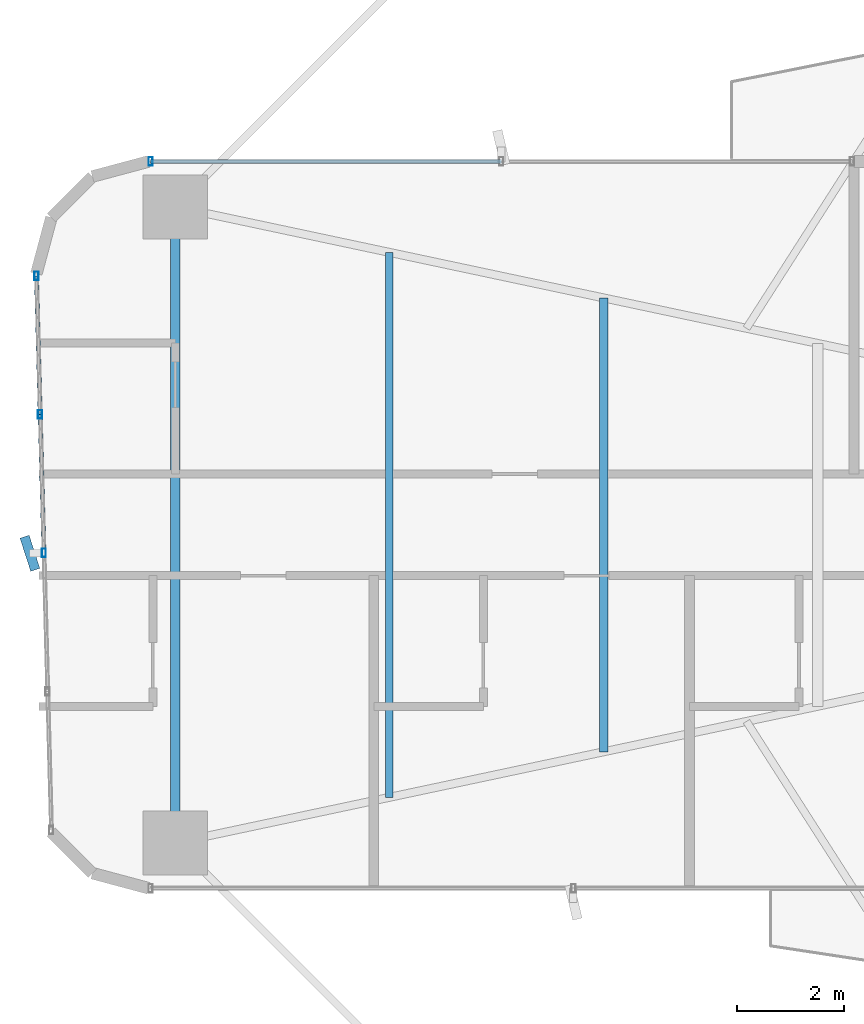
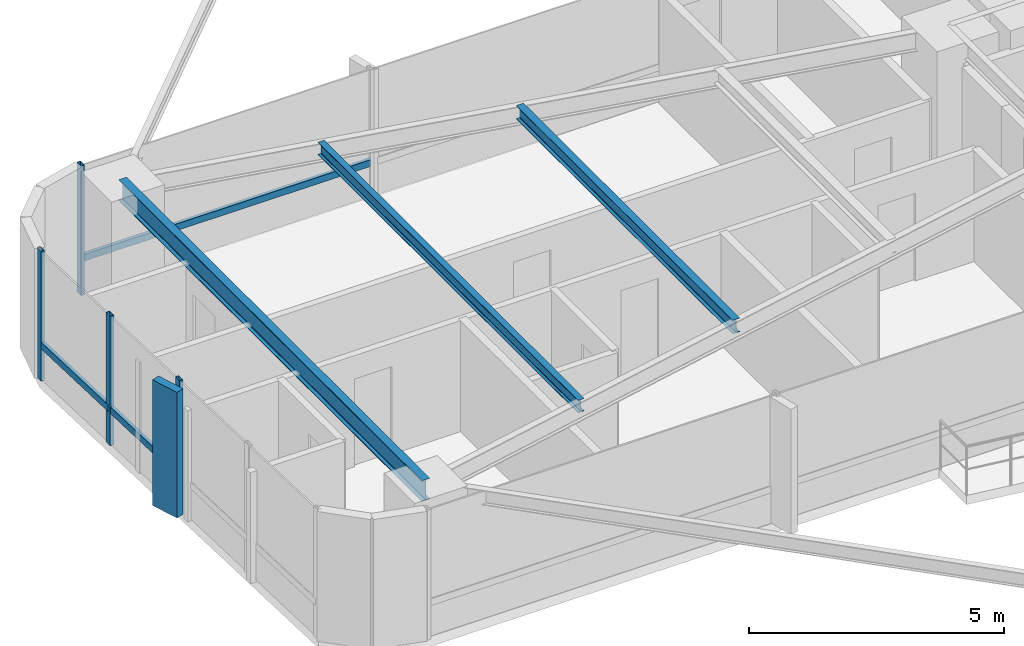
# One storey, part 8 of 25: 8 members, 3 beams, 2 elements without a shape of their own.
"""IFC4 building model written with IfcOpenShell, lengths in metres."""

from ifc_helpers import new_model, si_unit, direction, frame, origin, origin_2d, place, context, subcontext, project, spatial, rectangle, hollow_rectangle, i_section, extrude, source, transform, mapped, material, material_profile, profile_set, type_object, element, aggregate, save


model = new_model("IFC4")

# Units and contexts
model_context = context("Model", 3, precision=1e-05, world=origin(), true_north=direction((0.0, 1.0)))
body_context = subcontext(model_context, "Body", "Model", "MODEL_VIEW")
ifc_project = project(units=[si_unit("LENGTHUNIT", "METRE"), si_unit("AREAUNIT", "SQUARE_METRE"), si_unit("VOLUMEUNIT", "CUBIC_METRE"), si_unit("PLANEANGLEUNIT", "RADIAN"), si_unit("MASSUNIT", "GRAM", prefix="KILO")], contexts=[model_context])

# Site, building, storey
site_placement = place(None, origin())
site = spatial("IfcSite", under=ifc_project, at=site_placement, CompositionType="ELEMENT")
building_placement = place(site_placement, origin())
building = spatial("IfcBuilding", under=site, at=building_placement, Name="Sahyath Konkavel Grand Hotel", CompositionType="ELEMENT")
storey_placement = place(building_placement, frame((0.0, 0.0, 33.14990234375)))
storey = spatial("IfcBuildingStorey", under=building, at=storey_placement, Name="L08", CompositionType="ELEMENT", Elevation=33.14990234375)

# Beams
ifc_material_1 = material(Name="Steel E350", Category="steel")
ifc_material_profile_1 = material_profile(ifc_material_1, i_section(OverallWidth=0.179931640625, OverallDepth=0.5, WebThickness=0.01025390625, FlangeThickness=0.01708984375, FilletRadius=0.01708984375, at=origin_2d()), Name="ISMB 500")
ifc_profile_set_1 = profile_set([ifc_material_profile_1], Name="Steel E350")
beam_type_1 = type_object("IfcBeamType", Name="BM-ISMB500", PredefinedType="BEAM", material=ifc_profile_set_1)
shared_shape_1 = source(origin(), body_context, "Body", "SweptSolid", [
    extrude(i_section(OverallWidth=0.179931640625, OverallDepth=0.5, WebThickness=0.01025390625, FlangeThickness=0.01708984375, FilletRadius=0.01708984375, at=origin_2d()), origin(), (0.0, 0.0, 1.0), 11.89990234375),
])
beam_1_placement = place(storey_placement, frame((-22.199951171875, 5.949951171875, 2.860107421875), z_axis=(0.0, -1.0, 0.0), x_axis=(1.0, 0.0, 0.0)))
element("IfcBeam", 1, at=beam_1_placement, inside=storey, type_object=beam_type_1, Name="L08 Wing Tip Edge Beam W", PredefinedType="BEAM", context=body_context, shape_type="MappedRepresentation", body=[
    mapped(shared_shape_1, transform((0.0, 0.0, 0.0), scale=1.0)),
])
ifc_material_profile_2 = material_profile(ifc_material_1, i_section(OverallWidth=0.1650390625, OverallDepth=0.324951171875, WebThickness=0.007080078125, FlangeThickness=0.009765625, FilletRadius=0.014892578125, at=origin_2d()), Name="ISLB 325")
ifc_profile_set_2 = profile_set([ifc_material_profile_2], Name="Steel E350")
beam_type_2 = type_object("IfcBeamType", Name="BM-ISLB325", PredefinedType="BEAM", material=ifc_profile_set_2)
shared_shape_2 = source(origin(), body_context, "Body", "SweptSolid", [
    extrude(i_section(OverallWidth=0.1650390625, OverallDepth=0.324951171875, WebThickness=0.007080078125, FlangeThickness=0.009765625, FilletRadius=0.014892578125, at=origin_2d()), origin(), (0.0, 0.0, 1.0), 8.4921875),
])
beam_2_placement = place(storey_placement, frame((-14.18408203125, 4.24609375, 2.947509765625), z_axis=(0.0, -1.0, 0.0), x_axis=(1.0, 0.0, 0.0)))
element("IfcBeam", 2, at=beam_2_placement, inside=storey, type_object=beam_type_2, Name="L08 Secondary Floor Beam W-2", PredefinedType="BEAM", context=body_context, shape_type="MappedRepresentation", body=[
    mapped(shared_shape_2, transform((0.0, 0.0, 0.0), scale=1.0)),
])
ifc_material_profile_3 = material_profile(ifc_material_1, i_section(OverallWidth=0.139892578125, OverallDepth=0.300048828125, WebThickness=0.0078125, FlangeThickness=0.01318359375, FilletRadius=0.013916015625, at=origin_2d()), Name="ISMB 300")
ifc_profile_set_3 = profile_set([ifc_material_profile_3], Name="Steel E350")
beam_type_3 = type_object("IfcBeamType", Name="BM-ISMB300", PredefinedType="BEAM", material=ifc_profile_set_3)
shared_shape_3 = source(origin(), body_context, "Body", "SweptSolid", [
    extrude(i_section(OverallWidth=0.139892578125, OverallDepth=0.300048828125, WebThickness=0.0078125, FlangeThickness=0.01318359375, FilletRadius=0.013916015625, at=origin_2d()), origin(), (0.0, 0.0, 1.0), 10.19580078125),
])
beam_3_placement = place(storey_placement, frame((-18.19189453125, 5.097900390625, 2.960205078125), z_axis=(0.0, -1.0, 0.0), x_axis=(1.0, 0.0, 0.0)))
element("IfcBeam", 3, at=beam_3_placement, inside=storey, type_object=beam_type_3, Name="L08 Secondary Floor Beam W-3", PredefinedType="BEAM", context=body_context, shape_type="MappedRepresentation", body=[
    mapped(shared_shape_3, transform((0.0, 0.0, 0.0), scale=1.0)),
])

# Curtain wall, members
ifc_material_2 = material(Name="Anodised Bronze Aluminium & Low-E Glazing", Category="aluminium")
curtain_wall_type = type_object("IfcCurtainWallType", Name="CW-ZONE1", PredefinedType="NOTDEFINED", material=ifc_material_2)
curtain_wall_1_placement = place(storey_placement, origin())
curtain_wall_1 = element("IfcCurtainWall", 4, at=curtain_wall_1_placement, inside=storey, type_object=curtain_wall_type, Name="L08 Unitised Curtain Wall F20", PredefinedType="NOTDEFINED")
ifc_material_3 = material(Name="Warm Buff Sandstone Cladding on Concrete C50/60", Category="masonry")
ifc_material_profile_4 = material_profile(ifc_material_3, rectangle(XDim=0.179931640625, YDim=0.64990234375, at=origin_2d()), Name="FIN 180x650")
ifc_profile_set_4 = profile_set([ifc_material_profile_4], Name="Warm Buff Sandstone Cladding on Concrete C50/60")
member_type_1 = type_object("IfcMemberType", Name="FIN-SANDSTONE-650", PredefinedType="MULLION", material=ifc_profile_set_4)
shared_shape_4 = source(origin(), body_context, "Body", "SweptSolid", [
    extrude(rectangle(XDim=0.179931640625, YDim=0.64990234375, at=origin_2d()), origin(), (0.0, 0.0, 1.0), 3.010009765625),
])
member_1_placement = place(storey_placement, frame((-24.919189453125, -0.531982421875, 0.050048828125), z_axis=(0.0, 0.0, 1.0), x_axis=(0.951164325631, 0.308684994204, 0.0)))
member_1 = element("IfcMember", 5, at=member_1_placement, type_object=member_type_1, Name="L08 Sandstone Vertical Solar Fin FIN F20-2", PredefinedType="MULLION", context=body_context, shape_type="MappedRepresentation", body=[
    mapped(shared_shape_4, transform((0.0, 0.0, 0.0), scale=1.0)),
])
ifc_material_4 = material(Name="Anodised Bronze Aluminium", Category="aluminium")
ifc_material_profile_5 = material_profile(ifc_material_4, hollow_rectangle(XDim=0.080078125, YDim=0.159912109375, WallThickness=0.006103515625, at=origin_2d()), Name="RHS 160x80x6")
ifc_profile_set_5 = profile_set([ifc_material_profile_5], Name="Anodised Bronze Aluminium")
member_type_2 = type_object("IfcMemberType", Name="CW-TRN-160", PredefinedType="USERDEFINED", material=ifc_profile_set_5)
shared_shape_5 = source(origin(), body_context, "Body", "SweptSolid", [
    extrude(hollow_rectangle(XDim=0.080078125, YDim=0.159912109375, WallThickness=0.006103515625, at=origin_2d()), origin(), (0.0, 0.0, 1.0), 2.593505859375),
])
member_2_placement = place(storey_placement, frame((-24.798828125, 4.659912109375, 0.85009765625), z_axis=(0.026923093252, -0.999637507825, 0.0), x_axis=(0.999637507825, 0.026923093252, 0.0)))
member_2 = element("IfcMember", 6, at=member_2_placement, type_object=member_type_2, Name="L08 Curtain Wall Transom F20-0-spandrel", ObjectType="TRANSOM", PredefinedType="USERDEFINED", context=body_context, shape_type="MappedRepresentation", body=[
    mapped(shared_shape_5, transform((0.0, 0.0, 0.0), scale=1.0)),
])
shared_shape_6 = source(origin(), body_context, "Body", "SweptSolid", [
    extrude(hollow_rectangle(XDim=0.080078125, YDim=0.159912109375, WallThickness=0.006103515625, at=origin_2d()), origin(), (0.0, 0.0, 1.0), 2.59326171875),
])
member_3_placement = place(storey_placement, frame((-24.72900390625, 2.0673828125, 0.85009765625), z_axis=(0.026925627022, -0.99963743958, 0.0), x_axis=(0.99963743958, 0.026925627022, 0.0)))
member_3 = element("IfcMember", 7, at=member_3_placement, type_object=member_type_2, Name="L08 Curtain Wall Transom F20-1-spandrel", ObjectType="TRANSOM", PredefinedType="USERDEFINED", context=body_context, shape_type="MappedRepresentation", body=[
    mapped(shared_shape_6, transform((0.0, 0.0, 0.0), scale=1.0)),
])

# Curtain wall, member
curtain_wall_2_placement = place(storey_placement, origin())
curtain_wall_2 = element("IfcCurtainWall", 8, at=curtain_wall_2_placement, inside=storey, type_object=curtain_wall_type, Name="L08 Unitised Curtain Wall F16", PredefinedType="NOTDEFINED")
ifc_material_profile_6 = material_profile(ifc_material_4, hollow_rectangle(XDim=0.080078125, YDim=0.159912109375, WallThickness=0.006103515625, at=origin_2d()), Name="RHS 160x80x6")
ifc_profile_set_6 = profile_set([ifc_material_profile_6], Name="Anodised Bronze Aluminium")
member_type_3 = type_object("IfcMemberType", Name="CW-MUL-160", PredefinedType="MULLION", material=ifc_profile_set_6)
shared_shape_7 = source(origin(), body_context, "Body", "SweptSolid", [
    extrude(hollow_rectangle(XDim=0.080078125, YDim=0.159912109375, WallThickness=0.006103515625, at=origin_2d()), origin(), (0.0, 0.0, 1.0), 3.110107421875),
])
member_4_placement = place(storey_placement, frame((-22.659912109375, 6.800048828125, 0.0), z_axis=(0.0, 0.0, 1.0), x_axis=(1.0, 0.0, 0.0)))
member_4 = element("IfcMember", 9, at=member_4_placement, type_object=member_type_3, Name="L08 Curtain Wall Mullion F16-2", PredefinedType="MULLION", context=body_context, shape_type="MappedRepresentation", body=[
    mapped(shared_shape_7, transform((0.0, 0.0, 0.0), scale=1.0)),
])

# Member
member_5_placement = place(storey_placement, frame((-24.798828125, 4.659912109375, 0.0), z_axis=(0.0, 0.0, 1.0), x_axis=(1.0, 0.0, 0.0)))
member_5 = element("IfcMember", 10, at=member_5_placement, type_object=member_type_3, Name="L08 Curtain Wall Mullion F20-0", PredefinedType="MULLION", context=body_context, shape_type="MappedRepresentation", body=[
    mapped(shared_shape_7, transform((0.0, 0.0, 0.0), scale=1.0)),
])

member_6_placement = place(storey_placement, frame((-24.72900390625, 2.0673828125, 0.0), z_axis=(0.0, 0.0, 1.0), x_axis=(1.0, 0.0, 0.0)))
member_6 = element("IfcMember", 11, at=member_6_placement, type_object=member_type_3, Name="L08 Curtain Wall Mullion F20-1", PredefinedType="MULLION", context=body_context, shape_type="MappedRepresentation", body=[
    mapped(shared_shape_7, transform((0.0, 0.0, 0.0), scale=1.0)),
])

member_7_placement = place(storey_placement, frame((-24.6591796875, -0.52490234375, 0.0), z_axis=(0.0, 0.0, 1.0), x_axis=(1.0, 0.0, 0.0)))
member_7 = element("IfcMember", 12, at=member_7_placement, type_object=member_type_3, Name="L08 Curtain Wall Mullion F20-2", PredefinedType="MULLION", context=body_context, shape_type="MappedRepresentation", body=[
    mapped(shared_shape_7, transform((0.0, 0.0, 0.0), scale=1.0)),
])

aggregate(curtain_wall_1, [member_5, member_6, member_7, member_1, member_2, member_3])

shared_shape_8 = source(origin(), body_context, "Body", "SweptSolid", [
    extrude(hollow_rectangle(XDim=0.080078125, YDim=0.159912109375, WallThickness=0.006103515625, at=origin_2d()), origin(), (0.0, 0.0, 1.0), 6.559814453125),
])
member_8_placement = place(storey_placement, frame((-16.10009765625, 6.800048828125, 0.85009765625), z_axis=(-1.0, 0.0, 0.0), x_axis=(0.0, -1.0, 0.0)))
member_8 = element("IfcMember", 13, at=member_8_placement, type_object=member_type_2, Name="L08 Curtain Wall Transom F16-1-spandrel", ObjectType="TRANSOM", PredefinedType="USERDEFINED", context=body_context, shape_type="MappedRepresentation", body=[
    mapped(shared_shape_8, transform((0.0, 0.0, 0.0), scale=1.0)),
])

aggregate(curtain_wall_2, [member_4, member_8])

save(model, "model.ifc")
